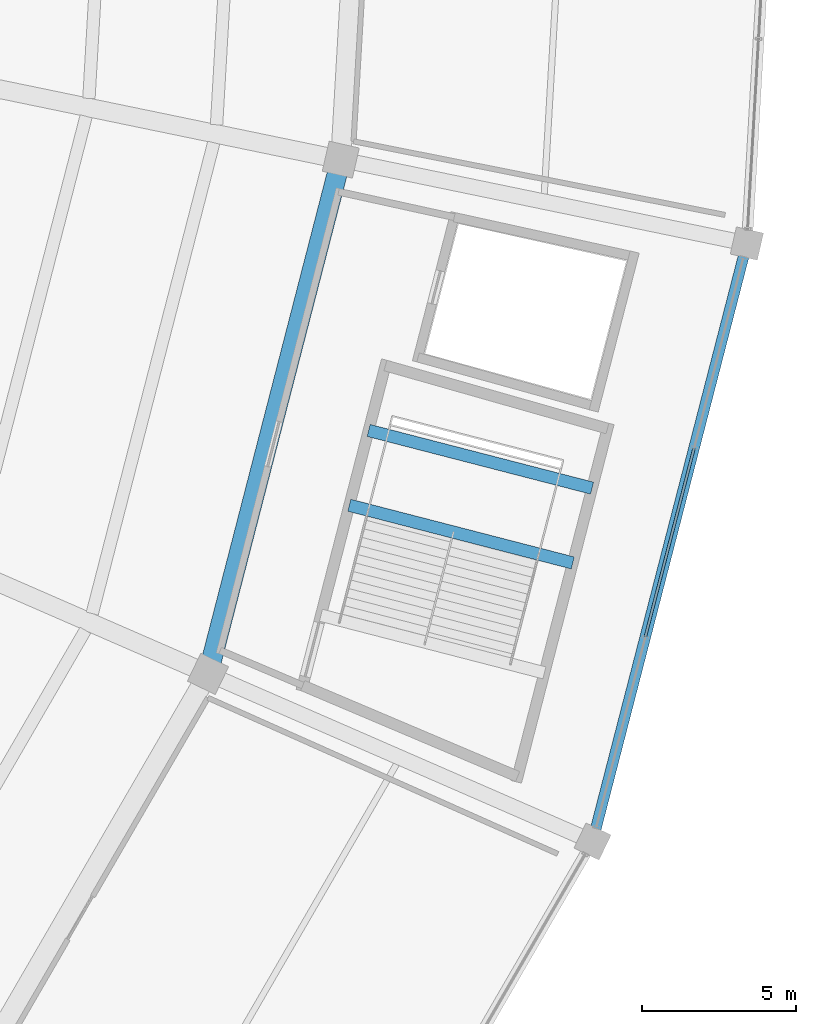
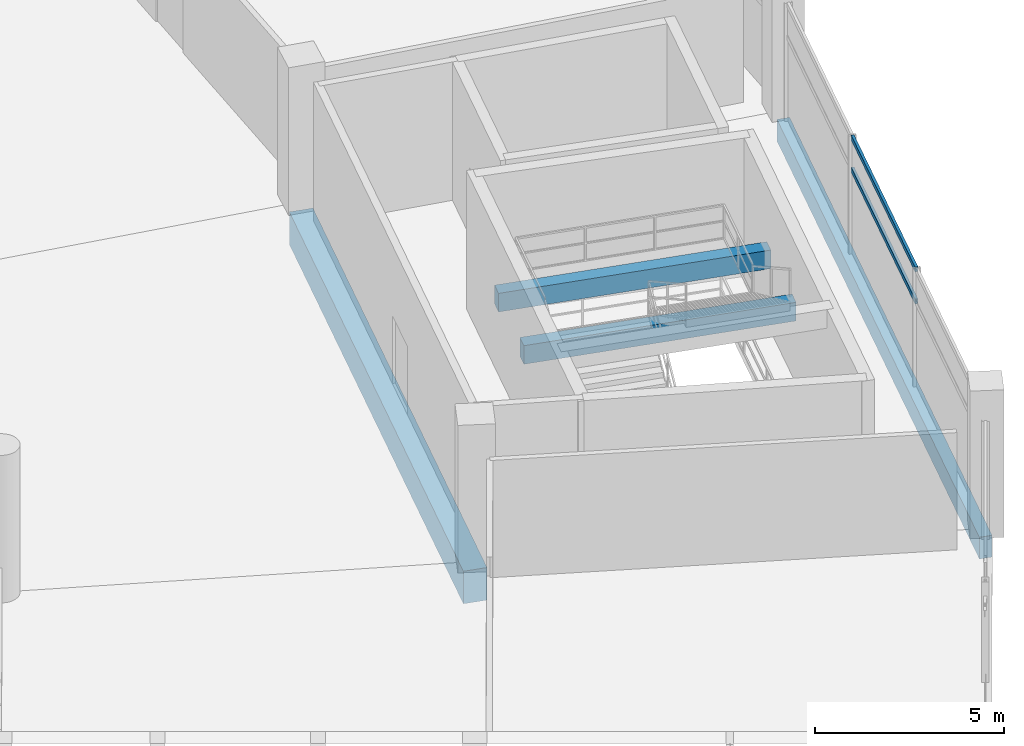
# One storey, part 66 of 171: 4 beams, 2 members, 1 element without a shape of its own.
"""IFC4 building model written with IfcOpenShell, lengths in metres."""

from ifc_helpers import new_model, si_unit, direction, frame, origin, origin_2d, place, context, subcontext, project, spatial, rectangle, hollow_rectangle, extrude, material, layer, layer_set, material_profile, profile_set, type_object, element, aggregate, save


model = new_model("IFC4")

# Units and contexts
model_context = context("Model", 3, precision=1e-05, world=origin(), true_north=direction((0.0, 1.0)))
body_context = subcontext(model_context, "Body", "Model", "MODEL_VIEW")
ifc_project = project(units=[si_unit("LENGTHUNIT", "METRE"), si_unit("AREAUNIT", "SQUARE_METRE"), si_unit("VOLUMEUNIT", "CUBIC_METRE"), si_unit("PLANEANGLEUNIT", "RADIAN"), si_unit("MASSUNIT", "GRAM", prefix="KILO")], contexts=[model_context])

# Site, building, storey
site_placement = place(None, origin())
site = spatial("IfcSite", under=ifc_project, at=site_placement, CompositionType="ELEMENT")
building_placement = place(site_placement, origin())
building = spatial("IfcBuilding", under=site, at=building_placement, Name="Kazemori Nagisa Stadium", CompositionType="ELEMENT")
storey_placement = place(building_placement, frame((0.0, 0.0, 15.639892578125)))
storey = spatial("IfcBuildingStorey", under=building, at=storey_placement, Name="L03", CompositionType="ELEMENT", Elevation=15.639892578125)

# Beams
ifc_material_1 = material(Name="Concrete C40/50 (Fc42)", Category="concrete")
ifc_material_profile_1 = material_profile(ifc_material_1, rectangle(XDim=0.39990234375, YDim=0.60009765625, at=origin_2d()), Name="RC-BM-400x600")
ifc_profile_set_1 = profile_set([ifc_material_profile_1], Name="Concrete C40/50 (Fc42)")
beam_type_1 = type_object("IfcBeamType", Name="Beam_BG-LND400X600", PredefinedType="BEAM", material=ifc_profile_set_1)
beam_1_placement = place(storey_placement, frame((204.014404296875, 74.133056640625, 1.880126953125), z_axis=(0.968252570883, -0.249973916595, 0.0), x_axis=(0.249973916595, 0.968252570883, 0.0)))
element("IfcBeam", 1, at=beam_1_placement, inside=storey, type_object=beam_type_1, Name="Core stair mid-landing girder ST10-L03-1", PredefinedType="BEAM", context=body_context, shape_type="SweptSolid", body=[
    extrude(rectangle(XDim=0.39990234375, YDim=0.60009765625, at=origin_2d()), origin(), (0.0, 0.0, 1.0), 7.468505859375),
])
beam_2_placement = place(storey_placement, frame((204.639404296875, 76.5537109375, 1.880126953125), z_axis=(0.968250528141, -0.249981828849, 0.0), x_axis=(0.249981828849, 0.968250528141, 0.0)))
element("IfcBeam", 2, at=beam_2_placement, inside=storey, type_object=beam_type_1, Name="Core stair mid-landing girder ST10-L03-2", PredefinedType="BEAM", context=body_context, shape_type="SweptSolid", body=[
    extrude(rectangle(XDim=0.39990234375, YDim=0.60009765625, at=origin_2d()), origin(), (0.0, 0.0, 1.0), 7.46826171875),
])
ifc_material_profile_2 = material_profile(ifc_material_1, rectangle(XDim=0.64990234375, YDim=1.050048828125, at=origin_2d()), Name="RC-BM-650x1050")
ifc_profile_set_2 = profile_set([ifc_material_profile_2], Name="Concrete C40/50 (Fc42)")
beam_type_2 = type_object("IfcBeamType", Name="Beam_BG-RC650X1050", PredefinedType="BEAM", material=ifc_profile_set_2)
beam_3_placement = place(storey_placement, frame((199.44091796875, 68.67529296875, -0.784912109375), z_axis=(0.249974673676, 0.968252375427, 0.0), x_axis=(-0.968252375427, 0.249974673676, 0.0)))
element("IfcBeam", 3, at=beam_3_placement, inside=storey, type_object=beam_type_2, Name="Ring girder BG-RC650X1050 L03 R2-27", PredefinedType="BEAM", context=body_context, shape_type="SweptSolid", body=[
    extrude(rectangle(XDim=0.64990234375, YDim=1.050048828125, at=origin_2d()), origin(), (0.0, 0.0, 1.0), 17.188232421875),
])
ifc_material_profile_3 = material_profile(ifc_material_1, rectangle(XDim=0.35009765625, YDim=0.699951171875, at=origin_2d()), Name="RC-SP-350x700")
ifc_profile_set_3 = profile_set([ifc_material_profile_3], Name="Concrete C40/50 (Fc42)")
beam_type_3 = type_object("IfcBeamType", Name="Beam_BS-RC350X700", PredefinedType="SPANDREL", material=ifc_profile_set_3)
beam_4_placement = place(storey_placement, frame((211.885009765625, 63.25048828125, -0.60986328125), z_axis=(0.249964097999, 0.968255105699, 0.0), x_axis=(-0.968255105699, 0.249964097999, 0.0)))
element("IfcBeam", 4, at=beam_4_placement, inside=storey, type_object=beam_type_3, Name="Ring girder BS-RC350X700 L03 R3-27", PredefinedType="SPANDREL", context=body_context, shape_type="SweptSolid", body=[
    extrude(rectangle(XDim=0.35009765625, YDim=0.699951171875, at=origin_2d()), origin(), (0.0, 0.0, 1.0), 19.986328125),
])

# Curtain wall, members
ifc_material_2 = material(Name="Anodised aluminium 6063-T5", Category="aluminium")
ifc_layer = layer(ifc_material_2, 0.2099609375, Name="Anodised aluminium 6063-T5", Category="aluminium")
ifc_layer_set = layer_set([ifc_layer], Name="Anodised aluminium 6063-T5")
curtain_wall_type = type_object("IfcCurtainWallType", Name="CW_L03R3_96", PredefinedType="USERDEFINED", material=ifc_layer_set)
curtain_wall_placement = place(storey_placement, origin())
curtain_wall = element("IfcCurtainWall", 5, at=curtain_wall_placement, inside=storey, type_object=curtain_wall_type, Name="Unitised curtain wall CW-L03R3-96 L03", ObjectType="UNITISED CURTAIN WALL", PredefinedType="USERDEFINED")
ifc_material_3 = material(Name="Aluminium 6063-T5 anodised", Category="aluminium")
ifc_material_profile_4 = material_profile(ifc_material_3, hollow_rectangle(XDim=0.080078125, YDim=0.159912109375, WallThickness=0.00390625, at=origin_2d()), Name="ALU-TRAN-80x160x4")
ifc_profile_set_4 = profile_set([ifc_material_profile_4], Name="Aluminium 6063-T5 anodised")
member_type = type_object("IfcMemberType", Name="Transom_T02", PredefinedType="USERDEFINED", material=ifc_profile_set_4)
member_1_placement = place(storey_placement, frame((213.5947265625, 69.873779296875, 2.705322265625), z_axis=(0.249971699633, 0.968253143234, 0.0), x_axis=(-0.968253143234, 0.249971699633, 0.0)))
member_1 = element("IfcMember", 6, at=member_1_placement, type_object=member_type, Name="Curtain wall transom CW-L03R3-96-T2-mid", ObjectType="TRANSOM", PredefinedType="USERDEFINED", context=body_context, shape_type="SweptSolid", body=[
    extrude(hollow_rectangle(XDim=0.080078125, YDim=0.159912109375, WallThickness=0.00390625, at=origin_2d()), origin(), (0.0, 0.0, 1.0), 6.305419921875),
])
member_2_placement = place(storey_placement, frame((213.5947265625, 69.873779296875, 3.739990234375), z_axis=(0.249971699633, 0.968253143234, 0.0), x_axis=(-0.968253143234, 0.249971699633, 0.0)))
member_2 = element("IfcMember", 7, at=member_2_placement, type_object=member_type, Name="Curtain wall transom CW-L03R3-96-T2-head", ObjectType="TRANSOM", PredefinedType="USERDEFINED", context=body_context, shape_type="SweptSolid", body=[
    extrude(hollow_rectangle(XDim=0.080078125, YDim=0.159912109375, WallThickness=0.00390625, at=origin_2d()), origin(), (0.0, 0.0, 1.0), 6.305419921875),
])
aggregate(curtain_wall, [member_1, member_2])

save(model, "model.ifc")
